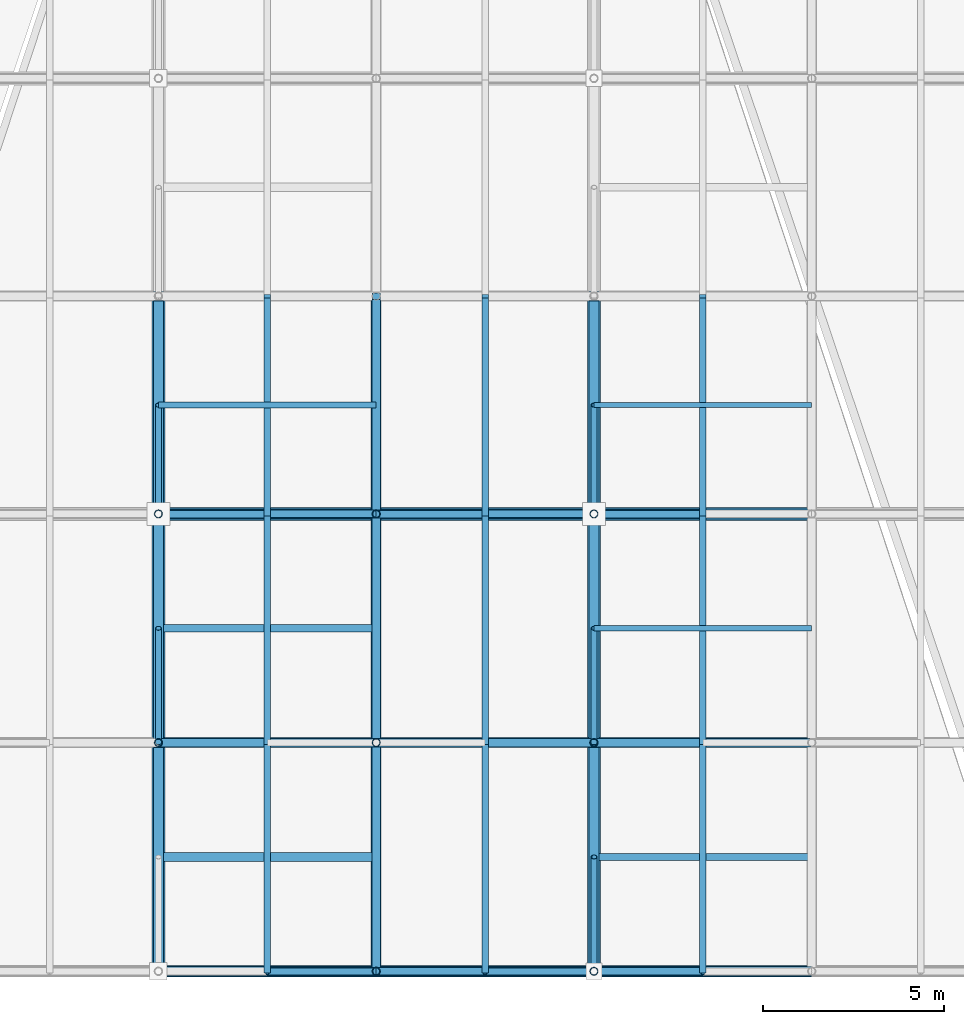
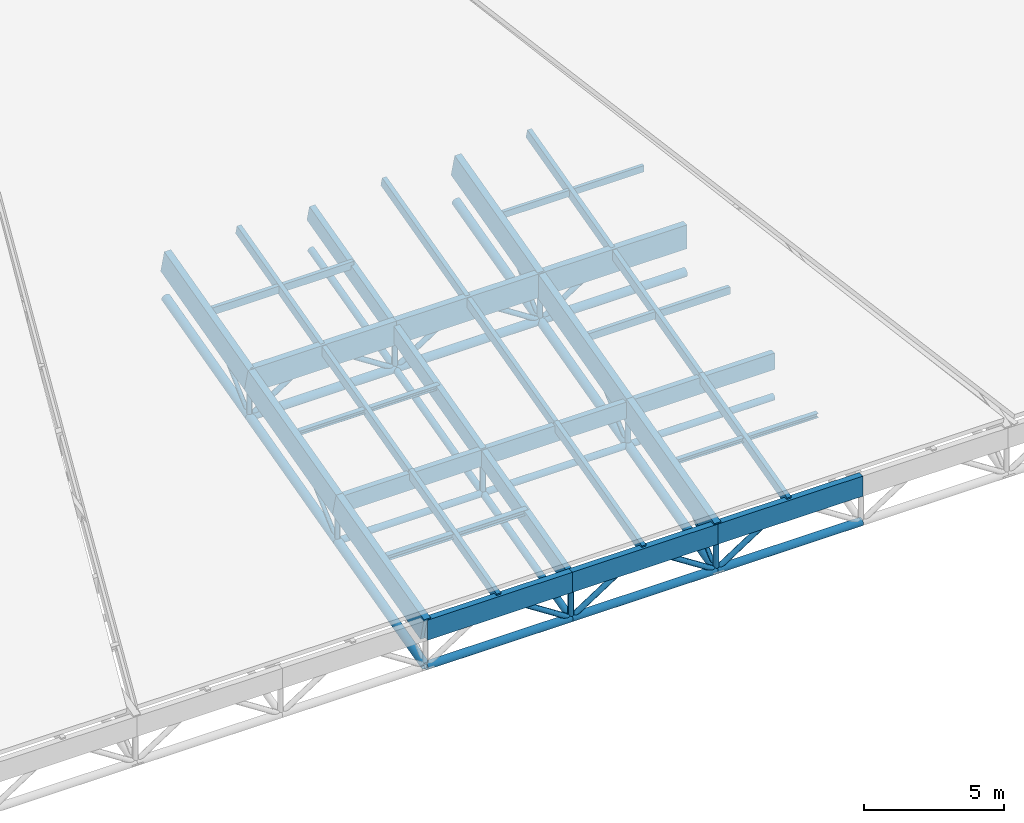
# One storey, part 9 of 80: 73 members.
"""IFC4 building model written with IfcOpenShell, lengths in metres."""

from ifc_helpers import new_model, si_unit, direction, frame, origin, origin_2d, place, context, subcontext, project, spatial, rectangle, hollow_circle, i_section, extrude, material, material_profile, profile_set, type_object, element, save


model = new_model("IFC4")

# Units and contexts
model_context = context("Model", 3, precision=1e-05, world=origin(), true_north=direction((0.0, 1.0)))
body_context = subcontext(model_context, "Body", "Model", "MODEL_VIEW")
ifc_project = project(units=[si_unit("LENGTHUNIT", "METRE"), si_unit("AREAUNIT", "SQUARE_METRE"), si_unit("VOLUMEUNIT", "CUBIC_METRE"), si_unit("PLANEANGLEUNIT", "RADIAN"), si_unit("MASSUNIT", "GRAM", prefix="KILO"), si_unit("THERMODYNAMICTEMPERATUREUNIT", "KELVIN"), si_unit("POWERUNIT", "WATT")], contexts=[model_context])

# Site, building, storey
site_placement = place(None, origin())
site = spatial("IfcSite", under=ifc_project, at=site_placement, CompositionType="ELEMENT")
building_placement = place(site_placement, origin())
building = spatial("IfcBuilding", under=site, at=building_placement, Name="Solmara Park Aquatics Centre", CompositionType="ELEMENT")
storey_placement = place(building_placement, frame((0.0, 0.0, 22.800048828125)))
storey = spatial("IfcBuildingStorey", under=building, at=storey_placement, Name="RF", CompositionType="ELEMENT", Elevation=22.800048828125)

# Members
ifc_material_1 = material(Name="Structural Steel S355", Category="steel")
ifc_material_profile_1 = material_profile(ifc_material_1, hollow_circle(Radius=0.084228515625, WallThickness=0.008056640625, at=origin_2d()), Name="CHS 168.3x8")
ifc_profile_set_1 = profile_set([ifc_material_profile_1], Name="Structural Steel S355")
member_type_1 = type_object("IfcMemberType", Name="STR-BRC-CHS168", PredefinedType="BRACE", material=ifc_profile_set_1)
for number, where, z_axis, x_axis, name in (
    (1, (60.60009765625, 0.0, -14.400146484375), (0.0, 0.748026356938, 0.663669020917), (-1.0, 0.0, 0.0), "Roof Truss Web Diagonal Y 1854"),
    (2, (48.60009765625, 6.300048828125, -12.770751953125), (0.0, 0.748026356938, 0.663669020917), (-1.0, 0.0, 0.0), "Roof Truss Web Diagonal Y 1874"),
    (3, (60.60009765625, 6.300048828125, -12.770751953125), (0.0, 0.748026356938, 0.663669020917), (-1.0, 0.0, 0.0), "Roof Truss Web Diagonal Y 1875"),
):
    element("IfcMember", number, at=place(storey_placement, frame(where, z_axis=z_axis, x_axis=x_axis)), inside=storey, type_object=member_type_1, Name=name, PredefinedType="BRACE", context=body_context, shape_type="SweptSolid", body=[
        extrude(hollow_circle(Radius=0.084228515625, WallThickness=0.008056640625, at=origin_2d()), origin(), (0.0, 0.0, 1.0), 4.2109375),
    ])
for number, where, z_axis, x_axis, name in (
    (4, (48.60009765625, 12.60009765625, -11.141357421875), (0.0, 0.736467121275, 0.676473339667), (-1.0, 0.0, 0.0), "Roof Truss Web Diagonal Y 1896"),
    (5, (60.60009765625, 12.60009765625, -11.141357421875), (0.0, 0.736467121275, 0.676473339667), (-1.0, 0.0, 0.0), "Roof Truss Web Diagonal Y 1897"),
):
    element("IfcMember", number, at=place(storey_placement, frame(where, z_axis=z_axis, x_axis=x_axis)), inside=storey, type_object=member_type_1, Name=name, PredefinedType="BRACE", context=body_context, shape_type="SweptSolid", body=[
        extrude(hollow_circle(Radius=0.084228515625, WallThickness=0.008056640625, at=origin_2d()), origin(), (0.0, 0.0, 1.0), 4.073486328125),
    ])
ifc_material_profile_2 = material_profile(ifc_material_1, hollow_circle(Radius=0.109619140625, WallThickness=0.010009765625, at=origin_2d()), Name="CHS 219.1x10")
ifc_profile_set_2 = profile_set([ifc_material_profile_2], Name="Structural Steel S355")
member_type_2 = type_object("IfcMemberType", Name="STR-BRC-CHS219", PredefinedType="BRACE", material=ifc_profile_set_2)
member_1_placement = place(storey_placement, frame((54.60009765625, 0.0, -14.400146484375), z_axis=(-0.839696636896, 0.0, 0.543055759555), x_axis=(0.0, -1.0, 0.0)))
element("IfcMember", 6, at=member_1_placement, inside=storey, type_object=member_type_2, Name="Roof Truss Web Diagonal X 1578", PredefinedType="BRACE", context=body_context, shape_type="SweptSolid", body=[
    extrude(hollow_circle(Radius=0.109619140625, WallThickness=0.010009765625, at=origin_2d()), origin(), (0.0, 0.0, 1.0), 3.57275390625),
])
for number, where, z_axis, x_axis, name in (
    (7, (48.60009765625, 12.60009765625, -11.141357421875), (0.83972779743, 0.0, 0.543007574738), (0.0, 1.0, 0.0), "Roof Truss Web Diagonal X 1579"),
    (8, (54.60009765625, 12.60009765625, -11.141357421875), (-0.83972779743, 0.0, 0.543007574738), (0.0, -1.0, 0.0), "Roof Truss Web Diagonal X 1580"),
):
    element("IfcMember", number, at=place(storey_placement, frame(where, z_axis=z_axis, x_axis=x_axis)), inside=storey, type_object=member_type_2, Name=name, PredefinedType="BRACE", context=body_context, shape_type="SweptSolid", body=[
        extrude(hollow_circle(Radius=0.109619140625, WallThickness=0.010009765625, at=origin_2d()), origin(), (0.0, 0.0, 1.0), 3.572509765625),
    ])
for number, where, z_axis, x_axis, name in (
    (9, (54.60009765625, 0.0, -14.400146484375), (0.839696636896, 0.0, 0.543055759555), (0.0, 1.0, 0.0), "Roof Truss Web Diagonal X 1607"),
    (10, (60.60009765625, 0.0, -14.400146484375), (-0.839696636896, 0.0, 0.543055759555), (0.0, -1.0, 0.0), "Roof Truss Web Diagonal X 1608"),
):
    element("IfcMember", number, at=place(storey_placement, frame(where, z_axis=z_axis, x_axis=x_axis)), inside=storey, type_object=member_type_2, Name=name, PredefinedType="BRACE", context=body_context, shape_type="SweptSolid", body=[
        extrude(hollow_circle(Radius=0.109619140625, WallThickness=0.010009765625, at=origin_2d()), origin(), (0.0, 0.0, 1.0), 3.57275390625),
    ])
for number, where, z_axis, x_axis, name in (
    (11, (54.60009765625, 12.60009765625, -11.141357421875), (0.83972779743, 0.0, 0.543007574738), (0.0, 1.0, 0.0), "Roof Truss Web Diagonal X 1609"),
    (12, (60.60009765625, 12.60009765625, -11.141357421875), (-0.83972779743, 0.0, 0.543007574738), (0.0, -1.0, 0.0), "Roof Truss Web Diagonal X 1610"),
):
    element("IfcMember", number, at=place(storey_placement, frame(where, z_axis=z_axis, x_axis=x_axis)), inside=storey, type_object=member_type_2, Name=name, PredefinedType="BRACE", context=body_context, shape_type="SweptSolid", body=[
        extrude(hollow_circle(Radius=0.109619140625, WallThickness=0.010009765625, at=origin_2d()), origin(), (0.0, 0.0, 1.0), 3.572509765625),
    ])
member_2_placement = place(storey_placement, frame((60.60009765625, 0.0, -14.400146484375), z_axis=(0.839696636896, 0.0, 0.543055759555), x_axis=(0.0, 1.0, 0.0)))
element("IfcMember", 13, at=member_2_placement, inside=storey, type_object=member_type_2, Name="Roof Truss Web Diagonal X 1637", PredefinedType="BRACE", context=body_context, shape_type="SweptSolid", body=[
    extrude(hollow_circle(Radius=0.109619140625, WallThickness=0.010009765625, at=origin_2d()), origin(), (0.0, 0.0, 1.0), 3.57275390625),
])
member_3_placement = place(storey_placement, frame((60.60009765625, 12.60009765625, -11.141357421875), z_axis=(0.83972779743, 0.0, 0.543007574738), x_axis=(0.0, 1.0, 0.0)))
element("IfcMember", 14, at=member_3_placement, inside=storey, type_object=member_type_2, Name="Roof Truss Web Diagonal X 1639", PredefinedType="BRACE", context=body_context, shape_type="SweptSolid", body=[
    extrude(hollow_circle(Radius=0.109619140625, WallThickness=0.010009765625, at=origin_2d()), origin(), (0.0, 0.0, 1.0), 3.572509765625),
])
ifc_material_profile_3 = material_profile(ifc_material_1, hollow_circle(Radius=0.136474609375, WallThickness=0.012451171875, at=origin_2d()), Name="CHS 273x12.5")
ifc_profile_set_3 = profile_set([ifc_material_profile_3], Name="Structural Steel S355")
member_type_3 = type_object("IfcMemberType", Name="STR-CHD-CHS273", PredefinedType="CHORD", material=ifc_profile_set_3)
for number, where, z_axis, x_axis, name in (
    (15, (48.60009765625, 6.300048828125, -12.770751953125), (1.0, 0.0, 0.0), (0.0, 1.0, 0.0), "Steel Roof Truss Bottom Chord X 0054"),
    (16, (54.60009765625, 6.300048828125, -12.770751953125), (1.0, 0.0, 0.0), (0.0, 1.0, 0.0), "Steel Roof Truss Bottom Chord X 0056"),
    (17, (60.60009765625, 6.300048828125, -12.770751953125), (1.0, 0.0, 0.0), (0.0, 1.0, 0.0), "Steel Roof Truss Bottom Chord X 0058"),
):
    element("IfcMember", number, at=place(storey_placement, frame(where, z_axis=z_axis, x_axis=x_axis)), inside=storey, type_object=member_type_3, Name=name, PredefinedType="CHORD", context=body_context, shape_type="SweptSolid", body=[
        extrude(hollow_circle(Radius=0.136474609375, WallThickness=0.012451171875, at=origin_2d()), origin(), (0.0, 0.0, 1.0), 6.0),
    ])
for number, where, z_axis, x_axis, name in (
    (18, (54.60009765625, 0.0, -14.400146484375), (0.0, 0.968144245908, 0.25039312913), (-1.0, 0.0, 0.0), "Steel Roof Truss Bottom Chord Y 0794"),
    (19, (54.60009765625, 6.300048828125, -12.770751953125), (0.0, 0.968144245908, 0.25039312913), (-1.0, 0.0, 0.0), "Steel Roof Truss Bottom Chord Y 0796"),
):
    element("IfcMember", number, at=place(storey_placement, frame(where, z_axis=z_axis, x_axis=x_axis)), inside=storey, type_object=member_type_3, Name=name, PredefinedType="CHORD", context=body_context, shape_type="SweptSolid", body=[
        extrude(hollow_circle(Radius=0.136474609375, WallThickness=0.012451171875, at=origin_2d()), origin(), (0.0, 0.0, 1.0), 6.50732421875),
    ])
member_4_placement = place(storey_placement, frame((54.60009765625, 12.60009765625, -11.141357421875), z_axis=(0.0, 0.968155143395, 0.250350990246), x_axis=(-1.0, 0.0, 0.0)))
element("IfcMember", 20, at=member_4_placement, inside=storey, type_object=member_type_3, Name="Steel Roof Truss Bottom Chord Y 0798", PredefinedType="CHORD", context=body_context, shape_type="SweptSolid", body=[
    extrude(hollow_circle(Radius=0.136474609375, WallThickness=0.012451171875, at=origin_2d()), origin(), (0.0, 0.0, 1.0), 6.197265625),
])
ifc_material_profile_4 = material_profile(ifc_material_1, hollow_circle(Radius=0.161865234375, WallThickness=0.01611328125, at=origin_2d()), Name="CHS 323.9x16")
ifc_profile_set_4 = profile_set([ifc_material_profile_4], Name="Structural Steel S355")
member_type_4 = type_object("IfcMemberType", Name="STR-CHD-CHS323", PredefinedType="CHORD", material=ifc_profile_set_4)
for number, where, z_axis, x_axis, name in (
    (21, (48.60009765625, 0.0, -14.400146484375), (1.0, 0.0, 0.0), (0.0, 1.0, 0.0), "Steel Roof Truss Bottom Chord X 0018"),
    (22, (54.60009765625, 0.0, -14.400146484375), (1.0, 0.0, 0.0), (0.0, 1.0, 0.0), "Steel Roof Truss Bottom Chord X 0020"),
    (23, (60.60009765625, 0.0, -14.400146484375), (1.0, 0.0, 0.0), (0.0, 1.0, 0.0), "Steel Roof Truss Bottom Chord X 0022"),
):
    element("IfcMember", number, at=place(storey_placement, frame(where, z_axis=z_axis, x_axis=x_axis)), inside=storey, type_object=member_type_4, Name=name, PredefinedType="CHORD", context=body_context, shape_type="SweptSolid", body=[
        extrude(hollow_circle(Radius=0.161865234375, WallThickness=0.01611328125, at=origin_2d()), origin(), (0.0, 0.0, 1.0), 6.0),
    ])
ifc_material_profile_5 = material_profile(ifc_material_1, hollow_circle(Radius=0.177734375, WallThickness=0.01611328125, at=origin_2d()), Name="CHS 355.6x16")
ifc_profile_set_5 = profile_set([ifc_material_profile_5], Name="Structural Steel S355")
member_type_5 = type_object("IfcMemberType", Name="STR-CHD-CHS355", PredefinedType="CHORD", material=ifc_profile_set_5)
for number, where, z_axis, x_axis, name in (
    (24, (48.60009765625, 12.60009765625, -11.141357421875), (1.0, 0.0, 0.0), (0.0, 1.0, 0.0), "Steel Roof Truss Bottom Chord X 0090"),
    (25, (54.60009765625, 12.60009765625, -11.141357421875), (1.0, 0.0, 0.0), (0.0, 1.0, 0.0), "Steel Roof Truss Bottom Chord X 0092"),
    (26, (60.60009765625, 12.60009765625, -11.141357421875), (1.0, 0.0, 0.0), (0.0, 1.0, 0.0), "Steel Roof Truss Bottom Chord X 0094"),
):
    element("IfcMember", number, at=place(storey_placement, frame(where, z_axis=z_axis, x_axis=x_axis)), inside=storey, type_object=member_type_5, Name=name, PredefinedType="CHORD", context=body_context, shape_type="SweptSolid", body=[
        extrude(hollow_circle(Radius=0.177734375, WallThickness=0.01611328125, at=origin_2d()), origin(), (0.0, 0.0, 1.0), 6.0),
    ])
for number, where, z_axis, x_axis, name in (
    (27, (48.60009765625, 0.0, -14.400146484375), (0.0, 0.968144245908, 0.25039312913), (-1.0, 0.0, 0.0), "Steel Roof Truss Bottom Chord Y 0766"),
    (28, (48.60009765625, 6.300048828125, -12.770751953125), (0.0, 0.968144245908, 0.25039312913), (-1.0, 0.0, 0.0), "Steel Roof Truss Bottom Chord Y 0768"),
):
    element("IfcMember", number, at=place(storey_placement, frame(where, z_axis=z_axis, x_axis=x_axis)), inside=storey, type_object=member_type_5, Name=name, PredefinedType="CHORD", context=body_context, shape_type="SweptSolid", body=[
        extrude(hollow_circle(Radius=0.177734375, WallThickness=0.01611328125, at=origin_2d()), origin(), (0.0, 0.0, 1.0), 6.50732421875),
    ])
member_5_placement = place(storey_placement, frame((48.60009765625, 12.60009765625, -11.141357421875), z_axis=(0.0, 0.968155143395, 0.250350990246), x_axis=(-1.0, 0.0, 0.0)))
element("IfcMember", 29, at=member_5_placement, inside=storey, type_object=member_type_5, Name="Steel Roof Truss Bottom Chord Y 0770", PredefinedType="CHORD", context=body_context, shape_type="SweptSolid", body=[
    extrude(hollow_circle(Radius=0.177734375, WallThickness=0.01611328125, at=origin_2d()), origin(), (0.0, 0.0, 1.0), 6.197265625),
])
for number, where, z_axis, x_axis, name in (
    (30, (60.60009765625, 0.0, -14.400146484375), (0.0, 0.968144245908, 0.25039312913), (-1.0, 0.0, 0.0), "Steel Roof Truss Bottom Chord Y 0822"),
    (31, (60.60009765625, 6.300048828125, -12.770751953125), (0.0, 0.968144245908, 0.25039312913), (-1.0, 0.0, 0.0), "Steel Roof Truss Bottom Chord Y 0824"),
):
    element("IfcMember", number, at=place(storey_placement, frame(where, z_axis=z_axis, x_axis=x_axis)), inside=storey, type_object=member_type_5, Name=name, PredefinedType="CHORD", context=body_context, shape_type="SweptSolid", body=[
        extrude(hollow_circle(Radius=0.177734375, WallThickness=0.01611328125, at=origin_2d()), origin(), (0.0, 0.0, 1.0), 6.50732421875),
    ])
member_6_placement = place(storey_placement, frame((60.60009765625, 12.60009765625, -11.141357421875), z_axis=(0.0, 0.968155143395, 0.250350990246), x_axis=(-1.0, 0.0, 0.0)))
element("IfcMember", 32, at=member_6_placement, inside=storey, type_object=member_type_5, Name="Steel Roof Truss Bottom Chord Y 0826", PredefinedType="CHORD", context=body_context, shape_type="SweptSolid", body=[
    extrude(hollow_circle(Radius=0.177734375, WallThickness=0.01611328125, at=origin_2d()), origin(), (0.0, 0.0, 1.0), 6.197265625),
])
ifc_material_2 = material(Name="Glulam Timber GL28h", Category="wood")
ifc_material_profile_6 = material_profile(ifc_material_2, rectangle(XDim=0.239990234375, YDim=0.719970703125, at=origin_2d()), Name="GL28h 240x720")
ifc_profile_set_6 = profile_set([ifc_material_profile_6], Name="Glulam Timber GL28h")
member_type_6 = type_object("IfcMemberType", Name="STR-CHD-GL240x720", PredefinedType="CHORD", material=ifc_profile_set_6)
for number, where, z_axis, x_axis, name in (
    (33, (48.60009765625, 6.300048828125, -11.150634765625), (1.0, 0.0, 0.0), (0.0, 1.0, 0.0), "Glulam Roof Truss Top Chord X 0053"),
    (34, (54.60009765625, 6.300048828125, -11.150634765625), (1.0, 0.0, 0.0), (0.0, 1.0, 0.0), "Glulam Roof Truss Top Chord X 0055"),
    (35, (60.60009765625, 6.300048828125, -11.150634765625), (1.0, 0.0, 0.0), (0.0, 1.0, 0.0), "Glulam Roof Truss Top Chord X 0057"),
):
    element("IfcMember", number, at=place(storey_placement, frame(where, z_axis=z_axis, x_axis=x_axis)), inside=storey, type_object=member_type_6, Name=name, PredefinedType="CHORD", context=body_context, shape_type="SweptSolid", body=[
        extrude(rectangle(XDim=0.239990234375, YDim=0.719970703125, at=origin_2d()), origin(), (0.0, 0.0, 1.0), 6.0),
    ])
for number, where, z_axis, x_axis, name in (
    (36, (54.60009765625, 0.0, -12.780029296875), (0.0, 0.968144245908, 0.25039312913), (-1.0, 0.0, 0.0), "Glulam Roof Truss Top Chord Y 0793"),
    (37, (54.60009765625, 6.300048828125, -11.150634765625), (0.0, 0.96815334027, 0.250357963171), (-1.0, 0.0, 0.0), "Glulam Roof Truss Top Chord Y 0795"),
):
    element("IfcMember", number, at=place(storey_placement, frame(where, z_axis=z_axis, x_axis=x_axis)), inside=storey, type_object=member_type_6, Name=name, PredefinedType="CHORD", context=body_context, shape_type="SweptSolid", body=[
        extrude(rectangle(XDim=0.239990234375, YDim=0.719970703125, at=origin_2d()), origin(), (0.0, 0.0, 1.0), 6.50732421875),
    ])
member_7_placement = place(storey_placement, frame((54.60009765625, 12.60009765625, -9.521484375), z_axis=(0.0, 0.968145594442, 0.250387914969), x_axis=(-1.0, 0.0, 0.0)))
element("IfcMember", 38, at=member_7_placement, inside=storey, type_object=member_type_6, Name="Glulam Roof Truss Top Chord Y 0797", PredefinedType="CHORD", context=body_context, shape_type="SweptSolid", body=[
    extrude(rectangle(XDim=0.239990234375, YDim=0.719970703125, at=origin_2d()), origin(), (0.0, 0.0, 1.0), 6.197509765625),
])
ifc_material_profile_7 = material_profile(ifc_material_2, rectangle(XDim=0.260009765625, YDim=0.8798828125, at=origin_2d()), Name="GL28h 260x880")
ifc_profile_set_7 = profile_set([ifc_material_profile_7], Name="Glulam Timber GL28h")
member_type_7 = type_object("IfcMemberType", Name="STR-CHD-GL260x880", PredefinedType="CHORD", material=ifc_profile_set_7)
for number, where, z_axis, x_axis, name in (
    (39, (48.60009765625, 0.0, -12.780029296875), (1.0, 0.0, 0.0), (0.0, 1.0, 0.0), "Glulam Roof Truss Top Chord X 0017"),
    (40, (54.60009765625, 0.0, -12.780029296875), (1.0, 0.0, 0.0), (0.0, 1.0, 0.0), "Glulam Roof Truss Top Chord X 0019"),
    (41, (60.60009765625, 0.0, -12.780029296875), (1.0, 0.0, 0.0), (0.0, 1.0, 0.0), "Glulam Roof Truss Top Chord X 0021"),
):
    element("IfcMember", number, at=place(storey_placement, frame(where, z_axis=z_axis, x_axis=x_axis)), inside=storey, type_object=member_type_7, Name=name, PredefinedType="CHORD", context=body_context, shape_type="SweptSolid", body=[
        extrude(rectangle(XDim=0.260009765625, YDim=0.8798828125, at=origin_2d()), origin(), (0.0, 0.0, 1.0), 6.0),
    ])
ifc_material_profile_8 = material_profile(ifc_material_2, rectangle(XDim=0.280029296875, YDim=1.0400390625, at=origin_2d()), Name="GL28h 280x1040")
ifc_profile_set_8 = profile_set([ifc_material_profile_8], Name="Glulam Timber GL28h")
member_type_8 = type_object("IfcMemberType", Name="STR-CHD-GL280x1040", PredefinedType="CHORD", material=ifc_profile_set_8)
for number, where, z_axis, x_axis, name in (
    (42, (48.60009765625, 12.60009765625, -9.521484375), (1.0, 0.0, 0.0), (0.0, 1.0, 0.0), "Glulam Roof Truss Top Chord X 0089"),
    (43, (54.60009765625, 12.60009765625, -9.521484375), (1.0, 0.0, 0.0), (0.0, 1.0, 0.0), "Glulam Roof Truss Top Chord X 0091"),
    (44, (60.60009765625, 12.60009765625, -9.521484375), (1.0, 0.0, 0.0), (0.0, 1.0, 0.0), "Glulam Roof Truss Top Chord X 0093"),
):
    element("IfcMember", number, at=place(storey_placement, frame(where, z_axis=z_axis, x_axis=x_axis)), inside=storey, type_object=member_type_8, Name=name, PredefinedType="CHORD", context=body_context, shape_type="SweptSolid", body=[
        extrude(rectangle(XDim=0.280029296875, YDim=1.0400390625, at=origin_2d()), origin(), (0.0, 0.0, 1.0), 6.0),
    ])
for number, where, z_axis, x_axis, name in (
    (45, (48.60009765625, 0.0, -12.780029296875), (0.0, 0.968144245908, 0.25039312913), (-1.0, 0.0, 0.0), "Glulam Roof Truss Top Chord Y 0765"),
    (46, (48.60009765625, 6.300048828125, -11.150634765625), (0.0, 0.96815334027, 0.250357963171), (-1.0, 0.0, 0.0), "Glulam Roof Truss Top Chord Y 0767"),
):
    element("IfcMember", number, at=place(storey_placement, frame(where, z_axis=z_axis, x_axis=x_axis)), inside=storey, type_object=member_type_8, Name=name, PredefinedType="CHORD", context=body_context, shape_type="SweptSolid", body=[
        extrude(rectangle(XDim=0.280029296875, YDim=1.0400390625, at=origin_2d()), origin(), (0.0, 0.0, 1.0), 6.50732421875),
    ])
member_8_placement = place(storey_placement, frame((48.60009765625, 12.60009765625, -9.521484375), z_axis=(0.0, 0.968145594442, 0.250387914969), x_axis=(-1.0, 0.0, 0.0)))
element("IfcMember", 47, at=member_8_placement, inside=storey, type_object=member_type_8, Name="Glulam Roof Truss Top Chord Y 0769", PredefinedType="CHORD", context=body_context, shape_type="SweptSolid", body=[
    extrude(rectangle(XDim=0.280029296875, YDim=1.0400390625, at=origin_2d()), origin(), (0.0, 0.0, 1.0), 6.197509765625),
])
for number, where, z_axis, x_axis, name in (
    (48, (60.60009765625, 0.0, -12.780029296875), (0.0, 0.968144245908, 0.25039312913), (-1.0, 0.0, 0.0), "Glulam Roof Truss Top Chord Y 0821"),
    (49, (60.60009765625, 6.300048828125, -11.150634765625), (0.0, 0.96815334027, 0.250357963171), (-1.0, 0.0, 0.0), "Glulam Roof Truss Top Chord Y 0823"),
):
    element("IfcMember", number, at=place(storey_placement, frame(where, z_axis=z_axis, x_axis=x_axis)), inside=storey, type_object=member_type_8, Name=name, PredefinedType="CHORD", context=body_context, shape_type="SweptSolid", body=[
        extrude(rectangle(XDim=0.280029296875, YDim=1.0400390625, at=origin_2d()), origin(), (0.0, 0.0, 1.0), 6.50732421875),
    ])
member_9_placement = place(storey_placement, frame((60.60009765625, 12.60009765625, -9.521484375), z_axis=(0.0, 0.968145594442, 0.250387914969), x_axis=(-1.0, 0.0, 0.0)))
element("IfcMember", 50, at=member_9_placement, inside=storey, type_object=member_type_8, Name="Glulam Roof Truss Top Chord Y 0825", PredefinedType="CHORD", context=body_context, shape_type="SweptSolid", body=[
    extrude(rectangle(XDim=0.280029296875, YDim=1.0400390625, at=origin_2d()), origin(), (0.0, 0.0, 1.0), 6.197509765625),
])
ifc_material_profile_9 = material_profile(ifc_material_2, rectangle(XDim=0.139892578125, YDim=0.280029296875, at=origin_2d()), Name="GL28h 140x280")
ifc_profile_set_9 = profile_set([ifc_material_profile_9], Name="Glulam Timber GL28h")
member_type_9 = type_object("IfcMemberType", Name="STR-PRL-GL140x280", PredefinedType="PURLIN", material=ifc_profile_set_9)
member_10_placement = place(storey_placement, frame((60.60009765625, 15.60009765625, -8.40576171875), z_axis=(1.0, 0.0, 0.0), x_axis=(0.0, 1.0, 0.0)))
element("IfcMember", 51, at=member_10_placement, inside=storey, type_object=member_type_9, Name="Glulam Secondary Roof Purlin 1886", PredefinedType="PURLIN", context=body_context, shape_type="SweptSolid", body=[
    extrude(rectangle(XDim=0.139892578125, YDim=0.280029296875, at=origin_2d()), origin(), (0.0, 0.0, 1.0), 6.0),
])
ifc_material_profile_10 = material_profile(ifc_material_2, rectangle(XDim=0.159912109375, YDim=0.320068359375, at=origin_2d()), Name="GL28h 160x320")
ifc_profile_set_10 = profile_set([ifc_material_profile_10], Name="Glulam Timber GL28h")
member_type_10 = type_object("IfcMemberType", Name="STR-PRL-GL160x320", PredefinedType="PURLIN", material=ifc_profile_set_10)
for number, where, z_axis, x_axis, name in (
    (52, (60.60009765625, 9.449951171875, -9.99609375), (1.0, 0.0, 0.0), (0.0, 1.0, 0.0), "Glulam Secondary Roof Purlin 1865"),
    (53, (48.60009765625, 15.60009765625, -8.40576171875), (1.0, 0.0, 0.0), (0.0, 1.0, 0.0), "Glulam Secondary Roof Purlin 1885"),
):
    element("IfcMember", number, at=place(storey_placement, frame(where, z_axis=z_axis, x_axis=x_axis)), inside=storey, type_object=member_type_10, Name=name, PredefinedType="PURLIN", context=body_context, shape_type="SweptSolid", body=[
        extrude(rectangle(XDim=0.159912109375, YDim=0.320068359375, at=origin_2d()), origin(), (0.0, 0.0, 1.0), 6.0),
    ])
ifc_material_profile_11 = material_profile(ifc_material_2, rectangle(XDim=0.179931640625, YDim=0.39990234375, at=origin_2d()), Name="GL28h 180x400")
ifc_profile_set_11 = profile_set([ifc_material_profile_11], Name="Glulam Timber GL28h")
member_type_11 = type_object("IfcMemberType", Name="STR-PRL-GL180x400", PredefinedType="PURLIN", material=ifc_profile_set_11)
for number, where, z_axis, x_axis, name in (
    (54, (51.60009765625, 0.0, -12.4599609375), (0.0, 0.96815334027, 0.250357963171), (-1.0, 0.0, 0.0), "Glulam Roof Purlin 1563"),
    (55, (51.60009765625, 6.300048828125, -10.830810546875), (0.0, 0.968144245908, 0.25039312913), (-1.0, 0.0, 0.0), "Glulam Roof Purlin 1564"),
):
    element("IfcMember", number, at=place(storey_placement, frame(where, z_axis=z_axis, x_axis=x_axis)), inside=storey, type_object=member_type_11, Name=name, PredefinedType="PURLIN", context=body_context, shape_type="SweptSolid", body=[
        extrude(rectangle(XDim=0.179931640625, YDim=0.39990234375, at=origin_2d()), origin(), (0.0, 0.0, 1.0), 6.50732421875),
    ])
member_11_placement = place(storey_placement, frame((51.60009765625, 12.60009765625, -9.201416015625), z_axis=(0.0, 0.968145594442, 0.250387914969), x_axis=(-1.0, 0.0, 0.0)))
element("IfcMember", 56, at=member_11_placement, inside=storey, type_object=member_type_11, Name="Glulam Roof Purlin 1565", PredefinedType="PURLIN", context=body_context, shape_type="SweptSolid", body=[
    extrude(rectangle(XDim=0.179931640625, YDim=0.39990234375, at=origin_2d()), origin(), (0.0, 0.0, 1.0), 6.197509765625),
])
for number, where, z_axis, x_axis, name in (
    (57, (57.60009765625, 0.0, -12.4599609375), (0.0, 0.96815334027, 0.250357963171), (-1.0, 0.0, 0.0), "Glulam Roof Purlin 1593"),
    (58, (57.60009765625, 6.300048828125, -10.830810546875), (0.0, 0.968144245908, 0.25039312913), (-1.0, 0.0, 0.0), "Glulam Roof Purlin 1594"),
):
    element("IfcMember", number, at=place(storey_placement, frame(where, z_axis=z_axis, x_axis=x_axis)), inside=storey, type_object=member_type_11, Name=name, PredefinedType="PURLIN", context=body_context, shape_type="SweptSolid", body=[
        extrude(rectangle(XDim=0.179931640625, YDim=0.39990234375, at=origin_2d()), origin(), (0.0, 0.0, 1.0), 6.50732421875),
    ])
member_12_placement = place(storey_placement, frame((57.60009765625, 12.60009765625, -9.201416015625), z_axis=(0.0, 0.968145594442, 0.250387914969), x_axis=(-1.0, 0.0, 0.0)))
element("IfcMember", 59, at=member_12_placement, inside=storey, type_object=member_type_11, Name="Glulam Roof Purlin 1595", PredefinedType="PURLIN", context=body_context, shape_type="SweptSolid", body=[
    extrude(rectangle(XDim=0.179931640625, YDim=0.39990234375, at=origin_2d()), origin(), (0.0, 0.0, 1.0), 6.197509765625),
])
for number, where, z_axis, x_axis, name in (
    (60, (63.60009765625, 0.0, -12.4599609375), (0.0, 0.96815334027, 0.250357963171), (-1.0, 0.0, 0.0), "Glulam Roof Purlin 1623"),
    (61, (63.60009765625, 6.300048828125, -10.830810546875), (0.0, 0.968144245908, 0.25039312913), (-1.0, 0.0, 0.0), "Glulam Roof Purlin 1624"),
):
    element("IfcMember", number, at=place(storey_placement, frame(where, z_axis=z_axis, x_axis=x_axis)), inside=storey, type_object=member_type_11, Name=name, PredefinedType="PURLIN", context=body_context, shape_type="SweptSolid", body=[
        extrude(rectangle(XDim=0.179931640625, YDim=0.39990234375, at=origin_2d()), origin(), (0.0, 0.0, 1.0), 6.50732421875),
    ])
member_13_placement = place(storey_placement, frame((63.60009765625, 12.60009765625, -9.201416015625), z_axis=(0.0, 0.968145594442, 0.250387914969), x_axis=(-1.0, 0.0, 0.0)))
element("IfcMember", 62, at=member_13_placement, inside=storey, type_object=member_type_11, Name="Glulam Roof Purlin 1625", PredefinedType="PURLIN", context=body_context, shape_type="SweptSolid", body=[
    extrude(rectangle(XDim=0.179931640625, YDim=0.39990234375, at=origin_2d()), origin(), (0.0, 0.0, 1.0), 6.197509765625),
])
ifc_material_profile_12 = material_profile(ifc_material_1, i_section(OverallWidth=0.199951171875, OverallDepth=0.18994140625, WebThickness=0.006591796875, FlangeThickness=0.010009765625, FilletRadius=0.01806640625, at=origin_2d()), Name="HEA 200")
ifc_profile_set_12 = profile_set([ifc_material_profile_12], Name="Structural Steel S355")
member_type_12 = type_object("IfcMemberType", Name="STR-PRL-HEA200", PredefinedType="PURLIN", material=ifc_profile_set_12)
for number, where, z_axis, x_axis, name in (
    (63, (60.60009765625, 3.14990234375, -11.62548828125), (1.0, 0.0, 0.0), (0.0, 1.0, 0.0), "Glulam Secondary Roof Purlin 1844"),
    (64, (48.60009765625, 9.449951171875, -9.99609375), (1.0, 0.0, 0.0), (0.0, 1.0, 0.0), "Glulam Secondary Roof Purlin 1864"),
):
    element("IfcMember", number, at=place(storey_placement, frame(where, z_axis=z_axis, x_axis=x_axis)), inside=storey, type_object=member_type_12, Name=name, PredefinedType="PURLIN", context=body_context, shape_type="SweptSolid", body=[
        extrude(i_section(OverallWidth=0.199951171875, OverallDepth=0.18994140625, WebThickness=0.006591796875, FlangeThickness=0.010009765625, FilletRadius=0.01806640625, at=origin_2d()), origin(), (0.0, 0.0, 1.0), 6.0),
    ])
ifc_material_profile_13 = material_profile(ifc_material_1, i_section(OverallWidth=0.239990234375, OverallDepth=0.22998046875, WebThickness=0.007568359375, FlangeThickness=0.011962890625, FilletRadius=0.02099609375, at=origin_2d()), Name="HEA 240")
ifc_profile_set_13 = profile_set([ifc_material_profile_13], Name="Structural Steel S355")
member_type_13 = type_object("IfcMemberType", Name="STR-PRL-HEA240", PredefinedType="PURLIN", material=ifc_profile_set_13)
member_14_placement = place(storey_placement, frame((48.60009765625, 3.14990234375, -11.62548828125), z_axis=(1.0, 0.0, 0.0), x_axis=(0.0, 1.0, 0.0)))
element("IfcMember", 65, at=member_14_placement, inside=storey, type_object=member_type_13, Name="Glulam Secondary Roof Purlin 1843", PredefinedType="PURLIN", context=body_context, shape_type="SweptSolid", body=[
    extrude(i_section(OverallWidth=0.239990234375, OverallDepth=0.22998046875, WebThickness=0.007568359375, FlangeThickness=0.011962890625, FilletRadius=0.02099609375, at=origin_2d()), origin(), (0.0, 0.0, 1.0), 6.0),
])
ifc_material_profile_14 = material_profile(ifc_material_1, hollow_circle(Radius=0.109619140625, WallThickness=0.010009765625, at=origin_2d()), Name="CHS 219.1x10")
ifc_profile_set_14 = profile_set([ifc_material_profile_14], Name="Structural Steel S355")
member_type_14 = type_object("IfcMemberType", Name="STR-PST-CHS219", PredefinedType="POST", material=ifc_profile_set_14)
member_15_placement = place(storey_placement, frame((48.60009765625, 6.300048828125, -12.770751953125), z_axis=(0.0, 0.0, 1.0), x_axis=(1.0, 0.0, 0.0)))
element("IfcMember", 66, at=member_15_placement, inside=storey, type_object=member_type_14, Name="Roof Truss Web Post 1187", PredefinedType="POST", context=body_context, shape_type="SweptSolid", body=[
    extrude(hollow_circle(Radius=0.109619140625, WallThickness=0.010009765625, at=origin_2d()), origin(), (0.0, 0.0, 1.0), 1.6201171875),
])
member_16_placement = place(storey_placement, frame((48.60009765625, 12.60009765625, -11.141357421875), z_axis=(0.0, 0.0, 1.0), x_axis=(1.0, 0.0, 0.0)))
element("IfcMember", 67, at=member_16_placement, inside=storey, type_object=member_type_14, Name="Roof Truss Web Post 1188", PredefinedType="POST", context=body_context, shape_type="SweptSolid", body=[
    extrude(hollow_circle(Radius=0.109619140625, WallThickness=0.010009765625, at=origin_2d()), origin(), (0.0, 0.0, 1.0), 1.619873046875),
])
for number, where, z_axis, x_axis, name in (
    (68, (54.60009765625, 0.0, -14.400146484375), (0.0, 0.0, 1.0), (1.0, 0.0, 0.0), "Roof Truss Web Post 1201"),
    (69, (54.60009765625, 6.300048828125, -12.770751953125), (0.0, 0.0, 1.0), (1.0, 0.0, 0.0), "Roof Truss Web Post 1202"),
):
    element("IfcMember", number, at=place(storey_placement, frame(where, z_axis=z_axis, x_axis=x_axis)), inside=storey, type_object=member_type_14, Name=name, PredefinedType="POST", context=body_context, shape_type="SweptSolid", body=[
        extrude(hollow_circle(Radius=0.109619140625, WallThickness=0.010009765625, at=origin_2d()), origin(), (0.0, 0.0, 1.0), 1.6201171875),
    ])
member_17_placement = place(storey_placement, frame((54.60009765625, 12.60009765625, -11.141357421875), z_axis=(0.0, 0.0, 1.0), x_axis=(1.0, 0.0, 0.0)))
element("IfcMember", 70, at=member_17_placement, inside=storey, type_object=member_type_14, Name="Roof Truss Web Post 1203", PredefinedType="POST", context=body_context, shape_type="SweptSolid", body=[
    extrude(hollow_circle(Radius=0.109619140625, WallThickness=0.010009765625, at=origin_2d()), origin(), (0.0, 0.0, 1.0), 1.619873046875),
])
for number, where, z_axis, x_axis, name in (
    (71, (60.60009765625, 0.0, -14.400146484375), (0.0, 0.0, 1.0), (1.0, 0.0, 0.0), "Roof Truss Web Post 1216"),
    (72, (60.60009765625, 6.300048828125, -12.770751953125), (0.0, 0.0, 1.0), (1.0, 0.0, 0.0), "Roof Truss Web Post 1217"),
):
    element("IfcMember", number, at=place(storey_placement, frame(where, z_axis=z_axis, x_axis=x_axis)), inside=storey, type_object=member_type_14, Name=name, PredefinedType="POST", context=body_context, shape_type="SweptSolid", body=[
        extrude(hollow_circle(Radius=0.109619140625, WallThickness=0.010009765625, at=origin_2d()), origin(), (0.0, 0.0, 1.0), 1.6201171875),
    ])
member_18_placement = place(storey_placement, frame((60.60009765625, 12.60009765625, -11.141357421875), z_axis=(0.0, 0.0, 1.0), x_axis=(1.0, 0.0, 0.0)))
element("IfcMember", 73, at=member_18_placement, inside=storey, type_object=member_type_14, Name="Roof Truss Web Post 1218", PredefinedType="POST", context=body_context, shape_type="SweptSolid", body=[
    extrude(hollow_circle(Radius=0.109619140625, WallThickness=0.010009765625, at=origin_2d()), origin(), (0.0, 0.0, 1.0), 1.619873046875),
])

save(model, "model.ifc")
